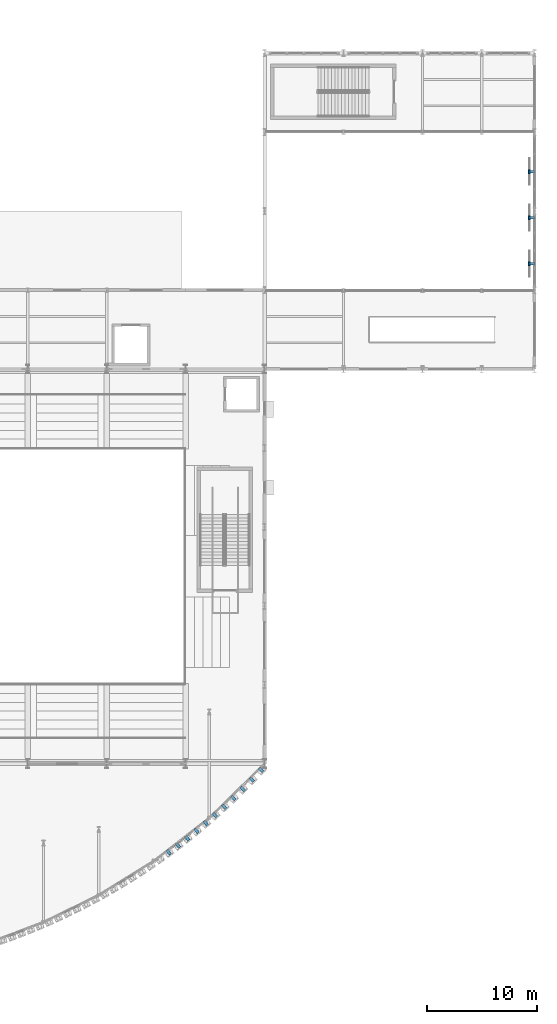
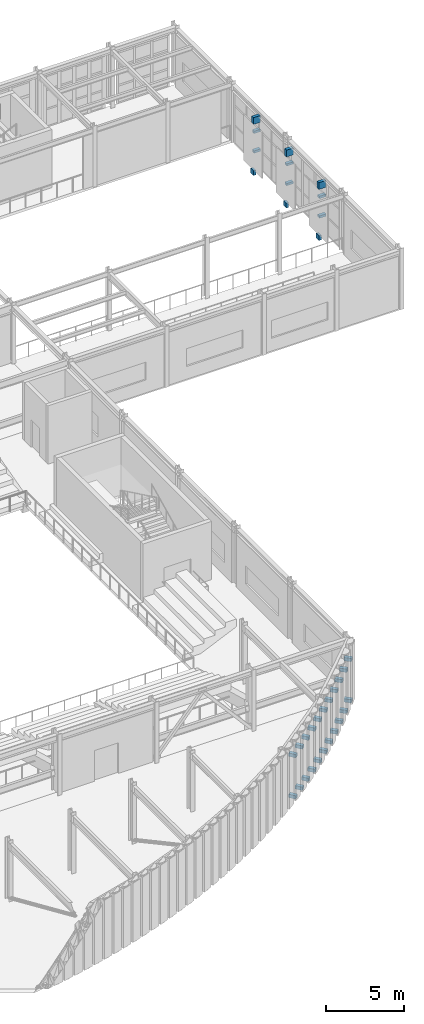
# One storey, part 105 of 121: 34 discrete accessories.
"""IFC4 building model written with IfcOpenShell, lengths in metres."""

from ifc_helpers import new_model, si_unit, direction, frame, origin, origin_2d, place, context, subcontext, project, spatial, rectangle, extrude, material, type_object, element, save


model = new_model("IFC4")

# Units and contexts
model_context = context("Model", 3, precision=1e-05, world=origin(), true_north=direction((0.0, 1.0)))
body_context = subcontext(model_context, "Body", "Model", "MODEL_VIEW")
ifc_project = project(units=[si_unit("LENGTHUNIT", "METRE"), si_unit("AREAUNIT", "SQUARE_METRE"), si_unit("VOLUMEUNIT", "CUBIC_METRE"), si_unit("PLANEANGLEUNIT", "RADIAN"), si_unit("MASSUNIT", "GRAM", prefix="KILO")], contexts=[model_context])

# Site, building, storey
site_placement = place(None, origin())
site = spatial("IfcSite", under=ifc_project, at=site_placement, CompositionType="ELEMENT")
building_placement = place(site_placement, origin())
building = spatial("IfcBuilding", under=site, at=building_placement, Name="Solvadek Multi-Sports Hall", CompositionType="ELEMENT")
storey_placement = place(building_placement, frame((0.0, 0.0, 4.800048828125)))
storey = spatial("IfcBuildingStorey", under=building, at=storey_placement, Name="L01", CompositionType="ELEMENT", Elevation=4.800048828125)

# Discrete accessories
ifc_material = material(Name="Steel E250 (250 MPa)", Category="steel")
discrete_accessory_type = type_object("IfcDiscreteAccessoryType", Name="ENV-BRK-CLEAT", PredefinedType="BRACKET", material=ifc_material)
for number, where, z_axis, x_axis, name in (
    (1, (128.061767578125, -2.0654296875, -0.01025390625), (0.0, 0.0, 1.0), (0.812061184697, 0.583572302554, 0.0), "L01 Screen Fixing Bracket #206"),
    (2, (128.061767578125, -2.0654296875, 3.2197265625), (0.0, 0.0, 1.0), (0.812061184697, 0.583572302554, 0.0), "L01 Screen Fixing Bracket #206"),
    (3, (128.90576171875, -1.43505859375, -0.01025390625), (0.0, 0.0, 1.0), (0.790483393841, 0.61248347248, 0.0), "L01 Screen Fixing Bracket #209"),
    (4, (128.90576171875, -1.43505859375, 3.2197265625), (0.0, 0.0, 1.0), (0.790483393841, 0.61248347248, 0.0), "L01 Screen Fixing Bracket #209"),
    (5, (129.745849609375, -0.7841796875, -0.01025390625), (0.0, 0.0, 1.0), (0.790483393841, 0.61248347248, 0.0), "L01 Screen Fixing Bracket #210"),
    (6, (129.745849609375, -0.7841796875, 3.2197265625), (0.0, 0.0, 1.0), (0.790483393841, 0.61248347248, 0.0), "L01 Screen Fixing Bracket #210"),
    (7, (130.58984375, -0.1044921875, -0.01025390625), (0.0, 0.0, 1.0), (0.767254598934, 0.641342638855, 0.0), "L01 Screen Fixing Bracket #213"),
    (8, (130.58984375, -0.1044921875, 3.2197265625), (0.0, 0.0, 1.0), (0.767254598934, 0.641342638855, 0.0), "L01 Screen Fixing Bracket #213"),
    (9, (131.4296875, 0.59765625, -0.01025390625), (0.0, 0.0, 1.0), (0.767254598934, 0.641342638855, 0.0), "L01 Screen Fixing Bracket #214"),
    (10, (131.4296875, 0.59765625, 3.2197265625), (0.0, 0.0, 1.0), (0.767254598934, 0.641342638855, 0.0), "L01 Screen Fixing Bracket #214"),
    (11, (132.27392578125, 1.33154296875, -0.01025390625), (0.0, 0.0, 1.0), (0.742150841647, 0.670232891048, 0.0), "L01 Screen Fixing Bracket #217"),
    (12, (132.27392578125, 1.33154296875, 3.2197265625), (0.0, 0.0, 1.0), (0.742150841647, 0.670232891048, 0.0), "L01 Screen Fixing Bracket #217"),
    (13, (133.11376953125, 2.090087890625, -0.01025390625), (0.0, 0.0, 1.0), (0.742150841647, 0.670232891048, 0.0), "L01 Screen Fixing Bracket #218"),
    (14, (133.11376953125, 2.090087890625, 3.2197265625), (0.0, 0.0, 1.0), (0.742150841647, 0.670232891048, 0.0), "L01 Screen Fixing Bracket #218"),
    (15, (133.957763671875, 2.884033203125, -0.01025390625), (0.0, 0.0, 1.0), (0.71499957752, 0.699124884514, 0.0), "L01 Screen Fixing Bracket #221"),
    (16, (133.957763671875, 2.884033203125, 3.2197265625), (0.0, 0.0, 1.0), (0.71499957752, 0.699124884514, 0.0), "L01 Screen Fixing Bracket #221"),
    (17, (134.7978515625, 3.705322265625, -0.01025390625), (0.0, 0.0, 1.0), (0.71499957752, 0.699124884514, 0.0), "L01 Screen Fixing Bracket #222"),
    (18, (134.7978515625, 3.705322265625, 3.2197265625), (0.0, 0.0, 1.0), (0.71499957752, 0.699124884514, 0.0), "L01 Screen Fixing Bracket #222"),
    (19, (135.641845703125, 4.566162109375, -0.01025390625), (0.0, 0.0, 1.0), (0.685588703424, 0.727989100013, 0.0), "L01 Screen Fixing Bracket #225"),
    (20, (135.641845703125, 4.566162109375, 3.2197265625), (0.0, 0.0, 1.0), (0.685588703424, 0.727989100013, 0.0), "L01 Screen Fixing Bracket #225"),
    (21, (136.48193359375, 5.4580078125, -0.01025390625), (0.0, 0.0, 1.0), (0.685588703424, 0.727989100013, 0.0), "L01 Screen Fixing Bracket #226"),
    (22, (136.48193359375, 5.4580078125, 3.2197265625), (0.0, 0.0, 1.0), (0.685588703424, 0.727989100013, 0.0), "L01 Screen Fixing Bracket #226"),
):
    element("IfcDiscreteAccessory", number, at=place(storey_placement, frame(where, z_axis=z_axis, x_axis=x_axis)), inside=storey, type_object=discrete_accessory_type, Name=name, PredefinedType="BRACKET", context=body_context, shape_type="SweptSolid", body=[
        extrude(rectangle(XDim=0.260009765625, YDim=0.5, at=origin_2d()), origin(), (0.0, 0.0, 1.0), 0.260009765625),
    ])
discrete_accessory_1_placement = place(storey_placement, frame((160.949951171875, 51.60009765625, -0.31005859375), z_axis=(0.0, 0.0, 1.0), x_axis=(1.0, 0.0, 0.0)))
element("IfcDiscreteAccessory", 23, at=discrete_accessory_1_placement, inside=storey, type_object=discrete_accessory_type, Name="L01 Climbing Panel Vertical Splice Bracket #1", PredefinedType="BRACKET", context=body_context, shape_type="SweptSolid", body=[
    extrude(rectangle(XDim=0.179931640625, YDim=0.360107421875, at=origin_2d()), origin(), (0.0, 0.0, 1.0), 0.3701171875),
])
discrete_accessory_2_placement = place(storey_placement, frame((161.159912109375, 51.60009765625, 3.64013671875), z_axis=(0.0, 0.0, 1.0), x_axis=(1.0, 0.0, 0.0)))
element("IfcDiscreteAccessory", 24, at=discrete_accessory_2_placement, inside=storey, type_object=discrete_accessory_type, Name="L01 Climbing Panel Top Girder Hanger #1", PredefinedType="BRACKET", context=body_context, shape_type="SweptSolid", body=[
    extrude(rectangle(XDim=0.52001953125, YDim=0.239990234375, at=origin_2d()), origin(), (0.0, 0.0, 1.0), 0.530029296875),
])
for number, where, z_axis, x_axis, name in (
    (25, (161.179931640625, 51.60009765625, 1.3701171875), (0.0, 0.0, 1.0), (1.0, 0.0, 0.0), "L01 Climbing Wall Stand-Off Bracket #1b"),
    (26, (161.179931640625, 51.60009765625, 2.91015625), (0.0, 0.0, 1.0), (1.0, 0.0, 0.0), "L01 Climbing Wall Stand-Off Bracket #1t"),
):
    element("IfcDiscreteAccessory", number, at=place(storey_placement, frame(where, z_axis=z_axis, x_axis=x_axis)), inside=storey, type_object=discrete_accessory_type, Name=name, PredefinedType="BRACKET", context=body_context, shape_type="SweptSolid", body=[
        extrude(rectangle(XDim=0.47998046875, YDim=0.239990234375, at=origin_2d()), origin(), (0.0, 0.0, 1.0), 0.179931640625),
    ])
discrete_accessory_3_placement = place(storey_placement, frame((160.949951171875, 55.800048828125, -0.31005859375), z_axis=(0.0, 0.0, 1.0), x_axis=(1.0, 0.0, 0.0)))
element("IfcDiscreteAccessory", 27, at=discrete_accessory_3_placement, inside=storey, type_object=discrete_accessory_type, Name="L01 Climbing Panel Vertical Splice Bracket #2", PredefinedType="BRACKET", context=body_context, shape_type="SweptSolid", body=[
    extrude(rectangle(XDim=0.179931640625, YDim=0.360107421875, at=origin_2d()), origin(), (0.0, 0.0, 1.0), 0.3701171875),
])
discrete_accessory_4_placement = place(storey_placement, frame((161.159912109375, 55.800048828125, 3.64013671875), z_axis=(0.0, 0.0, 1.0), x_axis=(1.0, 0.0, 0.0)))
element("IfcDiscreteAccessory", 28, at=discrete_accessory_4_placement, inside=storey, type_object=discrete_accessory_type, Name="L01 Climbing Panel Top Girder Hanger #2", PredefinedType="BRACKET", context=body_context, shape_type="SweptSolid", body=[
    extrude(rectangle(XDim=0.52001953125, YDim=0.239990234375, at=origin_2d()), origin(), (0.0, 0.0, 1.0), 0.530029296875),
])
for number, where, z_axis, x_axis, name in (
    (29, (161.179931640625, 55.800048828125, 1.3701171875), (0.0, 0.0, 1.0), (1.0, 0.0, 0.0), "L01 Climbing Wall Stand-Off Bracket #2b"),
    (30, (161.179931640625, 55.800048828125, 2.91015625), (0.0, 0.0, 1.0), (1.0, 0.0, 0.0), "L01 Climbing Wall Stand-Off Bracket #2t"),
):
    element("IfcDiscreteAccessory", number, at=place(storey_placement, frame(where, z_axis=z_axis, x_axis=x_axis)), inside=storey, type_object=discrete_accessory_type, Name=name, PredefinedType="BRACKET", context=body_context, shape_type="SweptSolid", body=[
        extrude(rectangle(XDim=0.47998046875, YDim=0.239990234375, at=origin_2d()), origin(), (0.0, 0.0, 1.0), 0.179931640625),
    ])
discrete_accessory_5_placement = place(storey_placement, frame((160.949951171875, 60.0, -0.31005859375), z_axis=(0.0, 0.0, 1.0), x_axis=(1.0, 0.0, 0.0)))
element("IfcDiscreteAccessory", 31, at=discrete_accessory_5_placement, inside=storey, type_object=discrete_accessory_type, Name="L01 Climbing Panel Vertical Splice Bracket #3", PredefinedType="BRACKET", context=body_context, shape_type="SweptSolid", body=[
    extrude(rectangle(XDim=0.179931640625, YDim=0.360107421875, at=origin_2d()), origin(), (0.0, 0.0, 1.0), 0.3701171875),
])
discrete_accessory_6_placement = place(storey_placement, frame((161.159912109375, 60.0, 3.64013671875), z_axis=(0.0, 0.0, 1.0), x_axis=(1.0, 0.0, 0.0)))
element("IfcDiscreteAccessory", 32, at=discrete_accessory_6_placement, inside=storey, type_object=discrete_accessory_type, Name="L01 Climbing Panel Top Girder Hanger #3", PredefinedType="BRACKET", context=body_context, shape_type="SweptSolid", body=[
    extrude(rectangle(XDim=0.52001953125, YDim=0.239990234375, at=origin_2d()), origin(), (0.0, 0.0, 1.0), 0.530029296875),
])
for number, where, z_axis, x_axis, name in (
    (33, (161.179931640625, 60.0, 1.3701171875), (0.0, 0.0, 1.0), (1.0, 0.0, 0.0), "L01 Climbing Wall Stand-Off Bracket #3b"),
    (34, (161.179931640625, 60.0, 2.91015625), (0.0, 0.0, 1.0), (1.0, 0.0, 0.0), "L01 Climbing Wall Stand-Off Bracket #3t"),
):
    element("IfcDiscreteAccessory", number, at=place(storey_placement, frame(where, z_axis=z_axis, x_axis=x_axis)), inside=storey, type_object=discrete_accessory_type, Name=name, PredefinedType="BRACKET", context=body_context, shape_type="SweptSolid", body=[
        extrude(rectangle(XDim=0.47998046875, YDim=0.239990234375, at=origin_2d()), origin(), (0.0, 0.0, 1.0), 0.179931640625),
    ])

save(model, "model.ifc")
